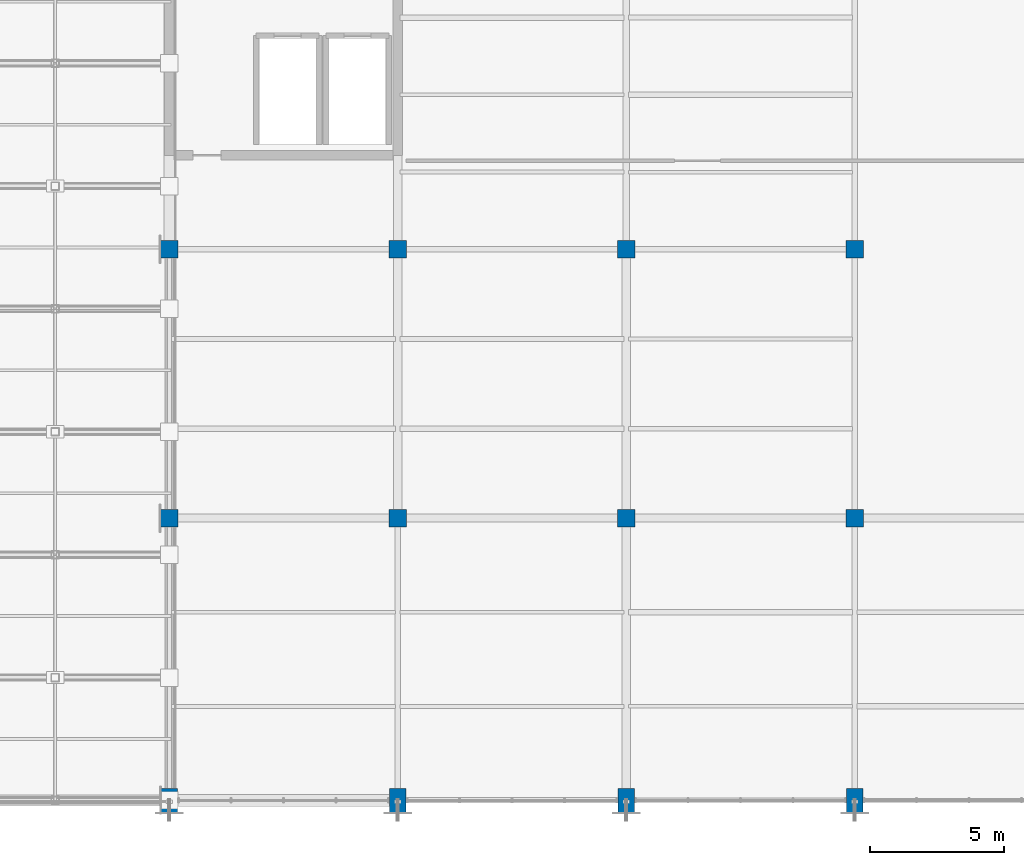
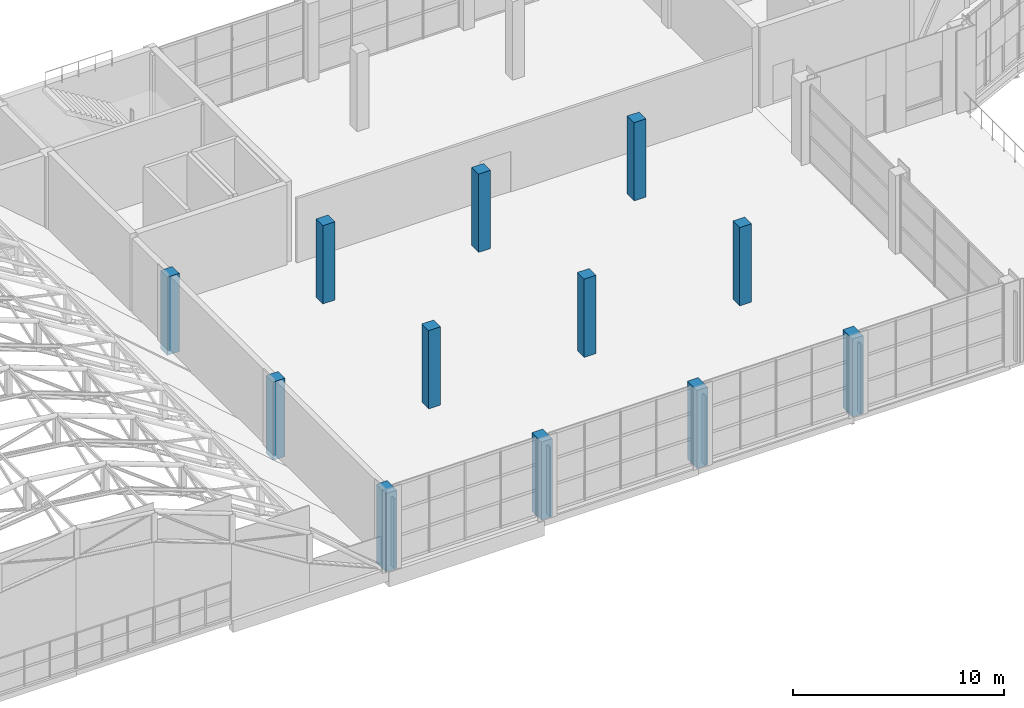
# One storey, part 1 of 86: 12 columns.
"""IFC4 building model written with IfcOpenShell, lengths in metres."""

from ifc_helpers import new_model, si_unit, direction, frame, origin, origin_2d, place, context, subcontext, project, spatial, rectangle, extrude, material, material_profile, profile_set, type_object, element, save


model = new_model("IFC4")

# Units and contexts
model_context = context("Model", 3, precision=1e-05, world=origin(), true_north=direction((0.0, 1.0)))
body_context = subcontext(model_context, "Body", "Model", "MODEL_VIEW")
ifc_project = project(units=[si_unit("LENGTHUNIT", "METRE"), si_unit("AREAUNIT", "SQUARE_METRE"), si_unit("VOLUMEUNIT", "CUBIC_METRE"), si_unit("PLANEANGLEUNIT", "RADIAN"), si_unit("MASSUNIT", "GRAM", prefix="KILO")], contexts=[model_context])

# Site, building, storey
site_placement = place(None, origin())
site = spatial("IfcSite", under=ifc_project, at=site_placement, CompositionType="ELEMENT")
building_placement = place(site_placement, origin())
building = spatial("IfcBuilding", under=site, at=building_placement, Name="Solvikara Media Centre", CompositionType="ELEMENT")
storey_placement = place(building_placement, frame((0.0, 0.0, 15.0)))
storey = spatial("IfcBuildingStorey", under=building, at=storey_placement, Name="L03", CompositionType="ELEMENT", Elevation=15.0)

# Columns
ifc_material = material(Name="Concrete fc' 45 MPa (C45/55)", Category="concrete")
ifc_material_profile_1 = material_profile(ifc_material, rectangle(XDim=0.64990234375, YDim=0.64990234375, at=origin_2d()), Name="RC 650x650")
ifc_profile_set_1 = profile_set([ifc_material_profile_1], Name="Concrete fc' 45 MPa (C45/55)")
column_type_1 = type_object("IfcColumnType", Name="CL-02", PredefinedType="COLUMN", material=ifc_profile_set_1)
for number, where, z_axis, x_axis, name in (
    (1, (34.0, 10.5, 0.0), (0.0, 0.0, 1.0), (1.0, 0.0, 0.0), "C-L03-0340-0105"),
    (2, (34.0, 20.5, 0.0), (0.0, 0.0, 1.0), (1.0, 0.0, 0.0), "C-L03-0340-0205"),
    (3, (42.5, 10.5, 0.0), (0.0, 0.0, 1.0), (1.0, 0.0, 0.0), "C-L03-0425-0105"),
    (4, (42.5, 20.5, 0.0), (0.0, 0.0, 1.0), (1.0, 0.0, 0.0), "C-L03-0425-0205"),
    (5, (51.0, 10.5, 0.0), (0.0, 0.0, 1.0), (1.0, 0.0, 0.0), "C-L03-0510-0105"),
    (6, (51.0, 20.5, 0.0), (0.0, 0.0, 1.0), (1.0, 0.0, 0.0), "C-L03-0510-0205"),
    (7, (59.5, 10.5, 0.0), (0.0, 0.0, 1.0), (1.0, 0.0, 0.0), "C-L03-0595-0105"),
    (8, (59.5, 20.5, 0.0), (0.0, 0.0, 1.0), (1.0, 0.0, 0.0), "C-L03-0595-0205"),
):
    element("IfcColumn", number, at=place(storey_placement, frame(where, z_axis=z_axis, x_axis=x_axis)), inside=storey, type_object=column_type_1, Name=name, PredefinedType="COLUMN", context=body_context, shape_type="SweptSolid", body=[
        extrude(rectangle(XDim=0.64990234375, YDim=0.64990234375, at=origin_2d()), origin(), (0.0, 0.0, 1.0), 4.52001953125),
    ])
ifc_material_profile_2 = material_profile(ifc_material, rectangle(XDim=0.60009765625, YDim=0.89990234375, at=origin_2d()), Name="RC 600x900")
ifc_profile_set_2 = profile_set([ifc_material_profile_2], Name="Concrete fc' 45 MPa (C45/55)")
column_type_2 = type_object("IfcColumnType", Name="CL-10", PredefinedType="COLUMN", material=ifc_profile_set_2)
for number, where, z_axis, x_axis, name in (
    (9, (34.0, 0.0, 0.0), (0.0, 0.0, 1.0), (1.0, 0.0, 0.0), "C-L03-0340-0000"),
    (10, (42.5, 0.0, 0.0), (0.0, 0.0, 1.0), (1.0, 0.0, 0.0), "C-L03-0425-0000"),
    (11, (51.0, 0.0, 0.0), (0.0, 0.0, 1.0), (1.0, 0.0, 0.0), "C-L03-0510-0000"),
    (12, (59.5, 0.0, 0.0), (0.0, 0.0, 1.0), (1.0, 0.0, 0.0), "C-L03-0595-0000"),
):
    element("IfcColumn", number, at=place(storey_placement, frame(where, z_axis=z_axis, x_axis=x_axis)), inside=storey, type_object=column_type_2, Name=name, PredefinedType="COLUMN", context=body_context, shape_type="SweptSolid", body=[
        extrude(rectangle(XDim=0.60009765625, YDim=0.89990234375, at=origin_2d()), origin(), (0.0, 0.0, 1.0), 4.52001953125),
    ])

save(model, "model.ifc")
